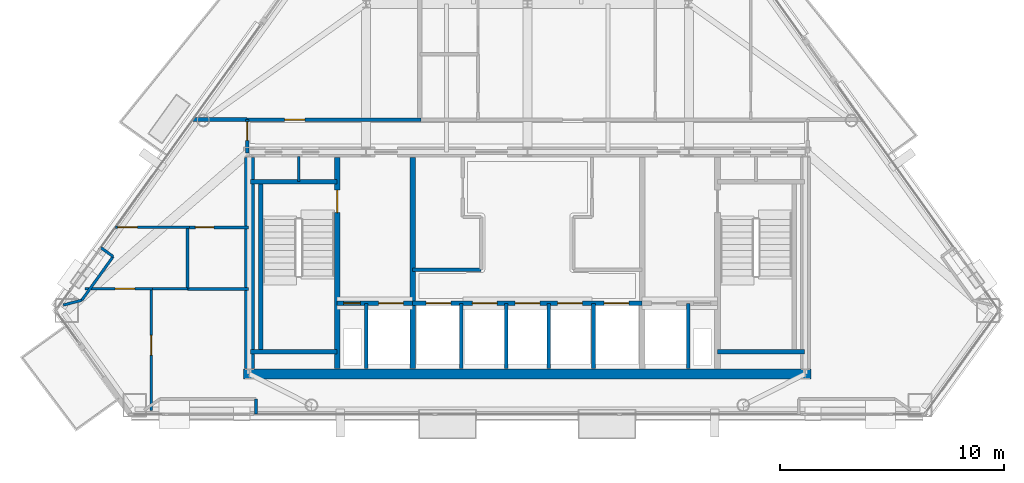
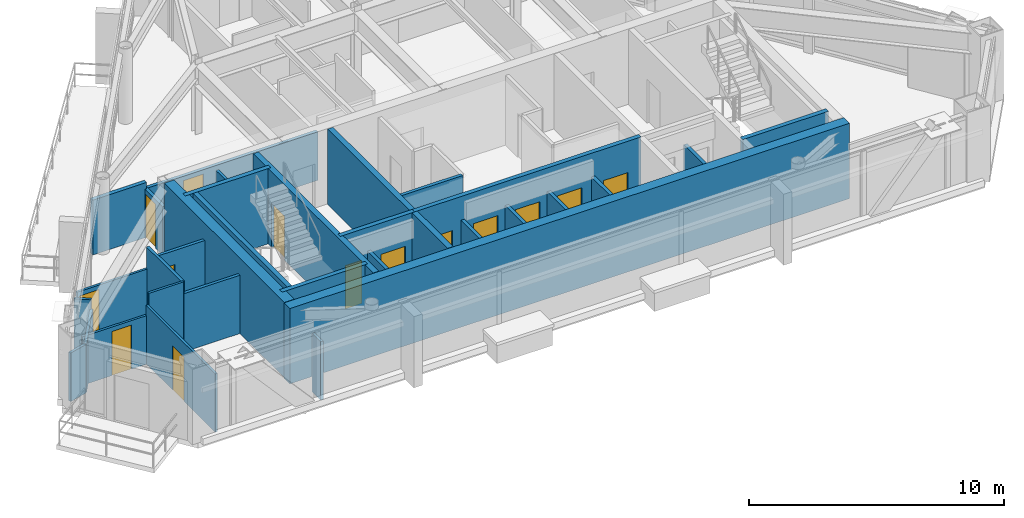
# One storey, part 7 of 11: 32 walls, 14 doors, 14 openings.
"""IFC4 building model written with IfcOpenShell, lengths in metres."""

import ifcopenshell
import ifcopenshell.guid

model = None  # the IFC model being written
_history = None  # IfcOwnerHistory: only IFC2X3 demands one
_inside = {}  # id of a spatial element -> (the spatial element, [elements in it])
_under = {}  # id of a project, library or spatial element -> (it, [spatial elements below it])
_declared = {}  # id of a project -> (the project, [libraries it declares])
_typed = {}  # id of a type object -> (the type object, [elements of that type])
_made_of = {}  # id of a material, layer set ... -> (it, [elements and type objects made of it])


def new_model(schema):
    """Start an empty IFC model of exactly this schema.

    Asked for "IFC4X3", IfcOpenShell would pick the latest addendum, in which some entities
    have other attributes; the version numbers below select the first issue.
    IFC2X3 requires an IfcOwnerHistory on every rooted entity: one is made here for all.
    """
    global model, _history
    if schema == "IFC4X3":
        model = ifcopenshell.file(schema_version=(4, 3, 0, 0))
    else:
        model = ifcopenshell.file(schema=schema)
    _inside.clear()
    _under.clear()
    _declared.clear()
    _typed.clear()
    _made_of.clear()
    _history = None
    if model.schema == "IFC2X3":
        org = make("IfcOrganization", Name="unknown")
        user = make(
            "IfcPersonAndOrganization",
            ThePerson=make("IfcPerson", FamilyName="unknown"),
            TheOrganization=org,
        )
        app = make(
            "IfcApplication",
            ApplicationDeveloper=org,
            Version="unknown",
            ApplicationFullName="unknown",
            ApplicationIdentifier="unknown",
        )
        _history = make(
            "IfcOwnerHistory",
            OwningUser=user,
            OwningApplication=app,
            ChangeAction="ADDED",
            CreationDate=0,
        )
    return model


def make(cls, **values):
    """One entity of the class cls with the attributes given. An attribute that is None is left unset."""
    return model.create_entity(
        cls, **{name: value for name, value in values.items() if value is not None}
    )


def rooted(cls, **values):
    """An entity with a GlobalId (a new one), such as an element, a storey or a relation."""
    return make(cls, GlobalId=ifcopenshell.guid.new(), OwnerHistory=_history, **values)


def si_unit(unit_type, name, prefix=None):
    """IfcSIUnit, for example si_unit("LENGTHUNIT", "METRE", prefix="MILLI")."""
    return make("IfcSIUnit", UnitType=unit_type, Prefix=prefix, Name=name)


def assignment(units):
    """IfcUnitAssignment: the units of a project."""
    return None if units is None else make("IfcUnitAssignment", Units=units)


def point(xyz):
    """IfcCartesianPoint."""
    return None if xyz is None else make("IfcCartesianPoint", Coordinates=xyz)


def direction(xyz):
    """IfcDirection."""
    return None if xyz is None else make("IfcDirection", DirectionRatios=xyz)


def frame(location, z_axis=None, x_axis=None):
    """IfcAxis2Placement3D, a coordinate frame: its origin and axes. An axis left out is left unset."""
    return make(
        "IfcAxis2Placement3D",
        Location=point(location),
        Axis=direction(z_axis),
        RefDirection=direction(x_axis),
    )


def frame_2d(location, x_axis=None):
    """IfcAxis2Placement2D, a coordinate frame in the plane: its origin and x axis."""
    return make(
        "IfcAxis2Placement2D", Location=point(location), RefDirection=direction(x_axis)
    )


def origin():
    """The frame at (0, 0, 0) with its axes left unset."""
    return frame((0.0, 0.0, 0.0))


def place(relative_to, where):
    """IfcLocalPlacement: puts the frame where relative to a parent placement (None: the world)."""
    return make(
        "IfcLocalPlacement", PlacementRelTo=relative_to, RelativePlacement=where
    )


def context(
    kind, dimensions, precision=None, world=None, true_north=None, identifier=None
):
    """IfcGeometricRepresentationContext, for example the 3D "Model" context."""
    return make(
        "IfcGeometricRepresentationContext",
        ContextIdentifier=identifier,
        ContextType=kind,
        CoordinateSpaceDimension=dimensions,
        Precision=precision,
        WorldCoordinateSystem=world,
        TrueNorth=true_north,
    )


def subcontext(parent, identifier, kind, view, scale=None):
    """IfcGeometricRepresentationSubContext, for example "Body" below "Model"."""
    return make(
        "IfcGeometricRepresentationSubContext",
        ContextIdentifier=identifier,
        ContextType=kind,
        ParentContext=parent,
        TargetScale=scale,
        TargetView=view,
    )


def project(units=None, contexts=None):
    """IfcProject with its units and contexts."""
    return rooted(
        "IfcProject",
        Name="project",
        RepresentationContexts=contexts,
        UnitsInContext=assignment(units),
    )


def spatial(cls, under=None, at=None, **own):
    """A site, building, storey or space (cls), placed at a placement, below another one or the project."""
    s = rooted(cls, ObjectPlacement=at, **own)
    if under is not None:
        _under.setdefault(under.id(), (under, []))[1].append(s)
    return s


def profile(cls, at=None, kind="AREA", **sizes):
    """A parametric profile (cls). Its sizes go by their IFC names, for example OverallWidth=200.0."""
    return make(cls, ProfileType=kind, Position=at, **sizes)


def rectangle(**sizes):
    """IfcRectangleProfileDef."""
    return profile("IfcRectangleProfileDef", **sizes)


def extrude(swept, where, along, depth):
    """IfcExtrudedAreaSolid: the profile swept, set in the frame where, extruded along a direction by depth."""
    return make(
        "IfcExtrudedAreaSolid",
        SweptArea=swept,
        Position=where,
        ExtrudedDirection=direction(along),
        Depth=depth,
    )


def shape(context_of_items, identifier, shape_type, items):
    """IfcShapeRepresentation: the items that make up one representation, for example the "Body"."""
    return make(
        "IfcShapeRepresentation",
        ContextOfItems=context_of_items,
        RepresentationIdentifier=identifier,
        RepresentationType=shape_type,
        Items=items,
    )


def material(Name=None, Category=None):
    """IfcMaterial."""
    return make("IfcMaterial", Name=Name, Category=Category)


def layer(
    of_material, thickness, ventilated=None, Name=None, Category=None, Priority=None
):
    """IfcMaterialLayer: one layer of a wall or slab, of a material (None: an air gap)."""
    return make(
        "IfcMaterialLayer",
        Material=of_material,
        LayerThickness=thickness,
        IsVentilated=ventilated,
        Name=Name,
        Category=Category,
        Priority=Priority,
    )


def layer_set(layers, Name=None):
    """IfcMaterialLayerSet."""
    return make("IfcMaterialLayerSet", MaterialLayers=layers, LayerSetName=Name)


def made_of(thing, what):
    """Note that an element or type object is made of a material, layer set ...; save() writes the relation."""
    if what is not None:
        _made_of.setdefault(what.id(), (what, []))[1].append(thing)
    return thing


def type_object(cls, material=None, **own):
    """A type object (cls), such as IfcWallType, which elements share."""
    return made_of(rooted(cls, **own), material)


def element(
    cls,
    number,
    at=None,
    inside=None,
    cuts=None,
    type_object=None,
    material=None,
    context=None,
    identifier="Body",
    shape_type=None,
    held_by="IfcProductDefinitionShape",
    body=None,
    shapes=None,
    **own,
):
    """One element of the class cls, such as IfcWall. Its Tag is "e" and its number.

    at: its placement. inside: the storey or other place that contains it. cuts: it is an
    opening in that element (IfcRelVoidsElement). A single representation is given by context,
    identifier, shape_type and body (its items); several are given by shapes. held_by: the class
    of the entity that holds the representations. save() writes the other relations.
    """
    e = rooted(cls, Tag="e%d" % number, ObjectPlacement=at, **own)
    if body is not None:
        shapes = [shape(context, identifier, shape_type, body)]
    if shapes is not None:
        e.Representation = make(held_by, Representations=shapes)
    if inside is not None:
        _inside.setdefault(inside.id(), (inside, []))[1].append(e)
    if cuts is not None:
        rooted(
            "IfcRelVoidsElement", RelatingBuildingElement=cuts, RelatedOpeningElement=e
        )
    if type_object is not None:
        _typed.setdefault(type_object.id(), (type_object, []))[1].append(e)
    return made_of(e, material)


def fill(opening, filler):
    """IfcRelFillsElement: the door or window that sits in an opening."""
    return rooted(
        "IfcRelFillsElement",
        RelatingOpeningElement=opening,
        RelatedBuildingElement=filler,
    )


def aggregate(whole, parts):
    """IfcRelAggregates: a whole, such as a stair, and the parts it consists of."""
    return rooted("IfcRelAggregates", RelatingObject=whole, RelatedObjects=parts)


def save(model, path):
    """Write the relations noted so far, then the file.

    IfcRelAggregates (storeys below a building ...), IfcRelContainedInSpatialStructure (elements
    in a storey), IfcRelDefinesByType, IfcRelAssociatesMaterial and IfcRelDeclares: one each for
    every whole, place, type object, material and project.
    """
    for whole, parts in _under.values():
        aggregate(whole, parts)
    for where, things in _inside.values():
        rooted(
            "IfcRelContainedInSpatialStructure",
            RelatedElements=things,
            RelatingStructure=where,
        )
    for kind, things in _typed.values():
        rooted("IfcRelDefinesByType", RelatedObjects=things, RelatingType=kind)
    for what, things in _made_of.values():
        rooted("IfcRelAssociatesMaterial", RelatedObjects=things, RelatingMaterial=what)
    for by, libraries in _declared.values():
        rooted("IfcRelDeclares", RelatingContext=by, RelatedDefinitions=libraries)
    model.write(path)


model = new_model("IFC4")

# Units and contexts
model_context = context("Model", 3, precision=1e-05, world=origin(), true_north=direction((0.0, 1.0)))
body_context = subcontext(model_context, "Body", "Model", "MODEL_VIEW")
ifc_project = project(units=[si_unit("LENGTHUNIT", "METRE"), si_unit("AREAUNIT", "SQUARE_METRE"), si_unit("VOLUMEUNIT", "CUBIC_METRE"), si_unit("PLANEANGLEUNIT", "RADIAN"), si_unit("MASSUNIT", "GRAM", prefix="KILO")], contexts=[model_context])

# Site, building, storey
site_placement = place(None, origin())
site = spatial("IfcSite", under=ifc_project, at=site_placement, CompositionType="ELEMENT")
building_placement = place(site_placement, origin())
building = spatial("IfcBuilding", under=site, at=building_placement, Name="Talgorran Terracotta Tower", CompositionType="ELEMENT")
storey_placement = place(building_placement, frame((0.0, 0.0, 203.699951171875)))
storey = spatial("IfcBuildingStorey", under=building, at=storey_placement, Name="L53", CompositionType="ELEMENT", Elevation=203.699951171875)

# Walls
ifc_material_1 = material(Name="Concrete C50/60", Category="concrete")
ifc_layer_1 = layer(ifc_material_1, 0.199951171875, Name="WT_CORE_200")
ifc_layer_set_1 = layer_set([ifc_layer_1], Name="Concrete C50/60")
wall_type_1 = type_object("IfcWallType", Name="WT_CORE_200", PredefinedType="SOLIDWALL", material=ifc_layer_set_1)
for number, where, z_axis, x_axis, name in (
    (1, (-12.35009765625, -5.52001953125, 0.0), (0.0, 0.0, 1.0), (1.0, 0.0, 0.0), "WL-L53-CW-ST1-N"),
    (2, (-12.35009765625, -13.10009765625, 0.0), (0.0, 0.0, 1.0), (1.0, 0.0, 0.0), "WL-L53-CW-ST1-S"),
):
    element("IfcWall", number, at=place(storey_placement, frame(where, z_axis=z_axis, x_axis=x_axis)), inside=storey, type_object=wall_type_1, Name=name, PredefinedType="SOLIDWALL", context=body_context, shape_type="SweptSolid", body=[
        extrude(rectangle(XDim=3.8701171875, YDim=0.199951171875, at=frame_2d((1.93505859375, 0.0))), origin(), (0.0, 0.0, 1.0), 3.60009765625),
    ])
wall_1_placement = place(storey_placement, frame((-11.89990234375, -13.10009765625, 0.0), z_axis=(0.0, 0.0, 1.0), x_axis=(0.0, 1.0, 0.0)))
element("IfcWall", 3, at=wall_1_placement, inside=storey, type_object=wall_type_1, Name="WL-L53-CW-ST1-W", PredefinedType="SOLIDWALL", context=body_context, shape_type="SweptSolid", body=[
    extrude(rectangle(XDim=7.580078125, YDim=0.199951171875, at=frame_2d((3.7900390625, 0.0))), origin(), (0.0, 0.0, 1.0), 3.60009765625),
])
wall_2_placement = place(storey_placement, frame((8.47998046875, -13.10009765625, 0.0), z_axis=(0.0, 0.0, 1.0), x_axis=(1.0, 0.0, 0.0)))
element("IfcWall", 4, at=wall_2_placement, inside=storey, type_object=wall_type_1, Name="WL-L53-CW-ST2-S", PredefinedType="SOLIDWALL", context=body_context, shape_type="SweptSolid", body=[
    extrude(rectangle(XDim=3.8701171875, YDim=0.199951171875, at=frame_2d((1.93505859375, 0.0))), origin(), (0.0, 0.0, 1.0), 3.60009765625),
])

# Wall, openings, doors
wall_3_placement = place(storey_placement, frame((-8.47998046875, -10.949951171875, 0.0), z_axis=(0.0, 0.0, 1.0), x_axis=(1.0, 0.0, 0.0)))
wall_3 = element("IfcWall", 5, at=wall_3_placement, inside=storey, type_object=wall_type_1, Name="WL-L53-CW-H-SBW", PredefinedType="SOLIDWALL", context=body_context, shape_type="SweptSolid", body=[
    extrude(rectangle(XDim=3.35986328125, YDim=0.199951171875, at=frame_2d((1.679931640625, 0.0))), origin(), (0.0, 0.0, 1.0), 3.60009765625),
])
opening_1_placement = place(wall_3_placement, frame((0.280029296875, 0.0, 0.0)))
opening_1 = element("IfcOpeningElement", 6, at=opening_1_placement, cuts=wall_3, Name="Opening DR-RSW", PredefinedType="OPENING", context=body_context, shape_type="SweptSolid", body=[
    extrude(rectangle(XDim=0.756, YDim=2.054048828125, at=frame_2d((0.375, 1.027099609375))), frame((0.0, 0.10986328125, 0.0), z_axis=(0.0, -1.0, 0.0), x_axis=(1.0, 0.0, 0.0)), (0.0, 0.0, 1.0), 0.219970703125),
])
opening_2_placement = place(wall_3_placement, frame((1.85009765625, 0.0, 0.0)))
opening_2 = element("IfcOpeningElement", 7, at=opening_2_placement, cuts=wall_3, Name="Opening LD-FFL1", PredefinedType="OPENING", context=body_context, shape_type="SweptSolid", body=[
    extrude(rectangle(XDim=1.10609765625, YDim=2.10409765625, at=frame_2d((0.550048828125, 1.052001953125))), frame((0.0, 0.10986328125, 0.0), z_axis=(0.0, -1.0, 0.0), x_axis=(1.0, 0.0, 0.0)), (0.0, 0.0, 1.0), 0.219970703125),
])
ifc_material_2 = material(Name="Brushed Stainless Steel Grade 304", Category="steel")
door_type_1 = type_object("IfcDoorType", Name="DT_LIFT_LD1100", OperationType="DOUBLE_DOOR_SLIDING", PredefinedType="DOOR", material=ifc_material_2)
door_1_placement = place(opening_2_placement, origin())
door_1 = element("IfcDoor", 8, at=door_1_placement, inside=storey, type_object=door_type_1, Name="L53 Lift Landing Door LD-FFL1", OperationType="DOUBLE_DOOR_SLIDING", OverallHeight=2.10009765625, OverallWidth=1.10009765625, PredefinedType="DOOR", context=body_context, shape_type="SweptSolid", body=[
    extrude(rectangle(XDim=1.10009765625, YDim=2.10009765625, at=frame_2d((0.550048828125, 1.050048828125))), frame((0.0, 0.02490234375, 0.0), z_axis=(0.0, -1.0, 0.0), x_axis=(1.0, 0.0, 0.0)), (0.0, 0.0, 1.0), 0.050048828125),
])
fill(opening_2, door_1)
ifc_material_3 = material(Name="Fire-Rated Pressed Steel", Category="steel")
door_type_2 = type_object("IfcDoorType", Name="DT_RISER_750", OperationType="NOTDEFINED", PredefinedType="DOOR", material=ifc_material_3)
door_2_placement = place(opening_1_placement, origin())
door_2 = element("IfcDoor", 9, at=door_2_placement, inside=storey, type_object=door_type_2, Name="DR-RSW", OperationType="SINGLE_SWING_LEFT", OverallHeight=2.050048828125, OverallWidth=0.75, PredefinedType="DOOR", context=body_context, shape_type="SweptSolid", body=[
    extrude(rectangle(XDim=0.75, YDim=2.050048828125, at=frame_2d((0.375, 1.02490234375))), frame((0.0, 0.02490234375, 0.0), z_axis=(0.0, -1.0, 0.0), x_axis=(1.0, 0.0, 0.0)), (0.0, 0.0, 1.0), 0.050048828125),
])
fill(opening_1, door_2)

wall_4_placement = place(storey_placement, frame((-5.1201171875, -10.949951171875, 0.0), z_axis=(0.0, 0.0, 1.0), x_axis=(1.0, 0.0, 0.0)))
wall_4 = element("IfcWall", 10, at=wall_4_placement, inside=storey, type_object=wall_type_1, Name="WL-L53-CW-H-SBC", PredefinedType="SOLIDWALL", context=body_context, shape_type="SweptSolid", body=[
    extrude(rectangle(XDim=10.240234375, YDim=0.199951171875, at=frame_2d((5.1201171875, 0.0))), origin(), (0.0, 0.0, 1.0), 3.60009765625),
])
opening_3_placement = place(wall_4_placement, frame((0.60009765625, 0.0, 0.0)))
opening_3 = element("IfcOpeningElement", 11, at=opening_3_placement, cuts=wall_4, Name="Opening LD-OB1", PredefinedType="OPENING", context=body_context, shape_type="SweptSolid", body=[
    extrude(rectangle(XDim=1.10609765625, YDim=2.10409765625, at=frame_2d((0.550048828125, 1.052001953125))), frame((0.0, 0.10986328125, 0.0), z_axis=(0.0, -1.0, 0.0), x_axis=(1.0, 0.0, 0.0)), (0.0, 0.0, 1.0), 0.219970703125),
])
opening_4_placement = place(wall_4_placement, frame((2.669921875, 0.0, 0.0)))
opening_4 = element("IfcOpeningElement", 12, at=opening_4_placement, cuts=wall_4, Name="Opening LD-PLH1", PredefinedType="OPENING", context=body_context, shape_type="SweptSolid", body=[
    extrude(rectangle(XDim=1.10609765625, YDim=2.10409765625, at=frame_2d((0.550048828125, 1.052001953125))), frame((0.0, 0.10986328125, 0.0), z_axis=(0.0, -1.0, 0.0), x_axis=(1.0, 0.0, 0.0)), (0.0, 0.0, 1.0), 0.219970703125),
])
opening_5_placement = place(wall_4_placement, frame((4.570068359375, 0.0, 0.0)))
opening_5 = element("IfcOpeningElement", 13, at=opening_5_placement, cuts=wall_4, Name="Opening LD-PLH2", PredefinedType="OPENING", context=body_context, shape_type="SweptSolid", body=[
    extrude(rectangle(XDim=1.10609765625, YDim=2.10409765625, at=frame_2d((0.550048828125, 1.052001953125))), frame((0.0, 0.10986328125, 0.0), z_axis=(0.0, -1.0, 0.0), x_axis=(1.0, 0.0, 0.0)), (0.0, 0.0, 1.0), 0.219970703125),
])
opening_6_placement = place(wall_4_placement, frame((6.469970703125, 0.0, 0.0)))
opening_6 = element("IfcOpeningElement", 14, at=opening_6_placement, cuts=wall_4, Name="Opening LD-PLH3", PredefinedType="OPENING", context=body_context, shape_type="SweptSolid", body=[
    extrude(rectangle(XDim=1.10609765625, YDim=2.10409765625, at=frame_2d((0.550048828125, 1.052001953125))), frame((0.0, 0.10986328125, 0.0), z_axis=(0.0, -1.0, 0.0), x_axis=(1.0, 0.0, 0.0)), (0.0, 0.0, 1.0), 0.219970703125),
])
opening_7_placement = place(wall_4_placement, frame((8.5400390625, 0.0, 0.0)))
opening_7 = element("IfcOpeningElement", 15, at=opening_7_placement, cuts=wall_4, Name="Opening LD-SVL1", PredefinedType="OPENING", context=body_context, shape_type="SweptSolid", body=[
    extrude(rectangle(XDim=1.10609765625, YDim=2.10409765625, at=frame_2d((0.550048828125, 1.052001953125))), frame((0.0, 0.10986328125, 0.0), z_axis=(0.0, -1.0, 0.0), x_axis=(1.0, 0.0, 0.0)), (0.0, 0.0, 1.0), 0.219970703125),
])
door_3_placement = place(opening_3_placement, origin())
door_3 = element("IfcDoor", 16, at=door_3_placement, inside=storey, type_object=door_type_1, Name="L53 Lift Landing Door LD-OB1", OperationType="DOUBLE_DOOR_SLIDING", OverallHeight=2.10009765625, OverallWidth=1.10009765625, PredefinedType="DOOR", context=body_context, shape_type="SweptSolid", body=[
    extrude(rectangle(XDim=1.10009765625, YDim=2.10009765625, at=frame_2d((0.550048828125, 1.050048828125))), frame((0.0, 0.02490234375, 0.0), z_axis=(0.0, -1.0, 0.0), x_axis=(1.0, 0.0, 0.0)), (0.0, 0.0, 1.0), 0.050048828125),
])
fill(opening_3, door_3)
door_4_placement = place(opening_4_placement, origin())
door_4 = element("IfcDoor", 17, at=door_4_placement, inside=storey, type_object=door_type_1, Name="L53 Lift Landing Door LD-PLH1", OperationType="DOUBLE_DOOR_SLIDING", OverallHeight=2.10009765625, OverallWidth=1.10009765625, PredefinedType="DOOR", context=body_context, shape_type="SweptSolid", body=[
    extrude(rectangle(XDim=1.10009765625, YDim=2.10009765625, at=frame_2d((0.550048828125, 1.050048828125))), frame((0.0, 0.02490234375, 0.0), z_axis=(0.0, -1.0, 0.0), x_axis=(1.0, 0.0, 0.0)), (0.0, 0.0, 1.0), 0.050048828125),
])
fill(opening_4, door_4)
door_5_placement = place(opening_5_placement, origin())
door_5 = element("IfcDoor", 18, at=door_5_placement, inside=storey, type_object=door_type_1, Name="L53 Lift Landing Door LD-PLH2", OperationType="DOUBLE_DOOR_SLIDING", OverallHeight=2.10009765625, OverallWidth=1.10009765625, PredefinedType="DOOR", context=body_context, shape_type="SweptSolid", body=[
    extrude(rectangle(XDim=1.10009765625, YDim=2.10009765625, at=frame_2d((0.550048828125, 1.050048828125))), frame((0.0, 0.02490234375, 0.0), z_axis=(0.0, -1.0, 0.0), x_axis=(1.0, 0.0, 0.0)), (0.0, 0.0, 1.0), 0.050048828125),
])
fill(opening_5, door_5)
door_6_placement = place(opening_6_placement, origin())
door_6 = element("IfcDoor", 19, at=door_6_placement, inside=storey, type_object=door_type_1, Name="L53 Lift Landing Door LD-PLH3", OperationType="DOUBLE_DOOR_SLIDING", OverallHeight=2.10009765625, OverallWidth=1.10009765625, PredefinedType="DOOR", context=body_context, shape_type="SweptSolid", body=[
    extrude(rectangle(XDim=1.10009765625, YDim=2.10009765625, at=frame_2d((0.550048828125, 1.050048828125))), frame((0.0, 0.02490234375, 0.0), z_axis=(0.0, -1.0, 0.0), x_axis=(1.0, 0.0, 0.0)), (0.0, 0.0, 1.0), 0.050048828125),
])
fill(opening_6, door_6)
door_7_placement = place(opening_7_placement, origin())
door_7 = element("IfcDoor", 20, at=door_7_placement, inside=storey, type_object=door_type_1, Name="L53 Lift Landing Door LD-SVL1", OperationType="DOUBLE_DOOR_SLIDING", OverallHeight=2.10009765625, OverallWidth=1.10009765625, PredefinedType="DOOR", context=body_context, shape_type="SweptSolid", body=[
    extrude(rectangle(XDim=1.10009765625, YDim=2.10009765625, at=frame_2d((0.550048828125, 1.050048828125))), frame((0.0, 0.02490234375, 0.0), z_axis=(0.0, -1.0, 0.0), x_axis=(1.0, 0.0, 0.0)), (0.0, 0.0, 1.0), 0.050048828125),
])
fill(opening_7, door_7)

# Wall, opening, door
ifc_layer_2 = layer(ifc_material_1, 0.25, Name="WT_CORE_250")
ifc_layer_set_2 = layer_set([ifc_layer_2], Name="Concrete C50/60")
wall_type_2 = type_object("IfcWallType", Name="WT_CORE_250", PredefinedType="SHEAR", material=ifc_layer_set_2)
wall_5_placement = place(storey_placement, frame((-8.47998046875, -13.85009765625, 0.0), z_axis=(0.0, 0.0, 1.0), x_axis=(0.0, 1.0, 0.0)))
wall_5 = element("IfcWall", 21, at=wall_5_placement, inside=storey, type_object=wall_type_2, Name="WL-L53-CW-V-W1", PredefinedType="SHEAR", context=body_context, shape_type="SweptSolid", body=[
    extrude(rectangle(XDim=9.400146484375, YDim=0.25, at=frame_2d((4.7001953125, 0.0))), origin(), (0.0, 0.0, 1.0), 3.60009765625),
])
opening_8_placement = place(wall_5_placement, frame((6.949951171875, 0.0, 0.0)))
opening_8 = element("IfcOpeningElement", 22, at=opening_8_placement, cuts=wall_5, Name="Opening DR-ST01", PredefinedType="OPENING", context=body_context, shape_type="SweptSolid", body=[
    extrude(rectangle(XDim=1.006, YDim=2.10409765625, at=frame_2d((0.5, 1.052001953125))), frame((0.0, 0.135009765625, 0.0), z_axis=(0.0, -1.0, 0.0), x_axis=(1.0, 0.0, 0.0)), (0.0, 0.0, 1.0), 0.27001953125),
])
door_type_3 = type_object("IfcDoorType", Name="DT_FIRE_1000", OperationType="NOTDEFINED", PredefinedType="DOOR", material=ifc_material_3)
door_8_placement = place(opening_8_placement, origin())
door_8 = element("IfcDoor", 23, at=door_8_placement, inside=storey, type_object=door_type_3, Name="DR-ST01", OperationType="SINGLE_SWING_LEFT", OverallHeight=2.10009765625, OverallWidth=1.0, PredefinedType="DOOR", context=body_context, shape_type="SweptSolid", body=[
    extrude(rectangle(XDim=1.0, YDim=2.10009765625, at=frame_2d((0.5, 1.050048828125))), frame((0.0, 0.02490234375, 0.0), z_axis=(0.0, -1.0, 0.0), x_axis=(1.0, 0.0, 0.0)), (0.0, 0.0, 1.0), 0.050048828125),
])
fill(opening_8, door_8)

# Walls
wall_6_placement = place(storey_placement, frame((-5.1201171875, -13.85009765625, 0.0), z_axis=(0.0, 0.0, 1.0), x_axis=(0.0, 1.0, 0.0)))
element("IfcWall", 24, at=wall_6_placement, inside=storey, type_object=wall_type_2, Name="WL-L53-CW-V-W2", PredefinedType="SHEAR", context=body_context, shape_type="SweptSolid", body=[
    extrude(rectangle(XDim=9.400146484375, YDim=0.25, at=frame_2d((4.7001953125, 0.0))), origin(), (0.0, 0.0, 1.0), 3.60009765625),
])
ifc_material_4 = material(Name="Concrete C65/80", Category="concrete")
ifc_layer_3 = layer(ifc_material_4, 0.449951171875, Name="WT_CORE_EXT")
ifc_layer_set_3 = layer_set([ifc_layer_3], Name="Concrete C65/80")
wall_type_3 = type_object("IfcWallType", Name="WT_CORE_EXT", PredefinedType="SHEAR", material=ifc_layer_set_3)
wall_7_placement = place(storey_placement, frame((-12.64990234375, -14.10009765625, 0.0), z_axis=(0.0, 0.0, 1.0), x_axis=(1.0, 0.0, 0.0)))
element("IfcWall", 25, at=wall_7_placement, inside=storey, type_object=wall_type_3, Name="WL-L53-CW-OUT-S", PredefinedType="SHEAR", context=body_context, shape_type="SweptSolid", body=[
    extrude(rectangle(XDim=25.2998046875, YDim=0.449951171875, at=frame_2d((12.64990234375, 0.0))), origin(), (0.0, 0.0, 1.0), 3.60009765625),
])
wall_8_placement = place(storey_placement, frame((-12.39990234375, -13.85009765625, 0.0), z_axis=(0.0, 0.0, 1.0), x_axis=(0.0, 1.0, 0.0)))
element("IfcWall", 26, at=wall_8_placement, inside=storey, type_object=wall_type_3, Name="WL-L53-CW-OUT-W", PredefinedType="SHEAR", context=body_context, shape_type="SweptSolid", body=[
    extrude(rectangle(XDim=9.400146484375, YDim=0.449951171875, at=frame_2d((4.7001953125, 0.0))), origin(), (0.0, 0.0, 1.0), 3.60009765625),
])
ifc_material_5 = material(Name="Fire-Rated Steel Stud Plasterboard", Category="steel")
ifc_layer_4 = layer(ifc_material_5, 0.14990234375, Name="WT_FIRE_150")
ifc_layer_set_4 = layer_set([ifc_layer_4], Name="Fire-Rated Steel Stud Plasterboard")
wall_type_4 = type_object("IfcWallType", Name="WT_FIRE_150", PredefinedType="PARTITIONING", material=ifc_layer_set_4)
wall_9_placement = place(storey_placement, frame((-5.1201171875, -9.449951171875, 0.0), z_axis=(0.0, 0.0, 1.0), x_axis=(1.0, 0.0, 0.0)))
element("IfcWall", 27, at=wall_9_placement, inside=storey, type_object=wall_type_4, Name="WL-L53-CW-H-W4N", PredefinedType="PARTITIONING", context=body_context, shape_type="SweptSolid", body=[
    extrude(rectangle(XDim=3.06005859375, YDim=0.14990234375, at=frame_2d((1.530029296875, 0.0))), origin(), (0.0, 0.0, 1.0), 3.344970703125),
])

# Wall, opening, door
wall_10_placement = place(storey_placement, frame((-12.5, -2.760009765625, 0.0), z_axis=(0.0, 0.0, 1.0), x_axis=(1.0, 0.0, 0.0)))
wall_10 = element("IfcWall", 28, at=wall_10_placement, inside=storey, type_object=wall_type_4, Name="WL-L53-W-L53-R03", PredefinedType="PARTITIONING", context=body_context, shape_type="SweptSolid", body=[
    extrude(rectangle(XDim=7.760009765625, YDim=0.14990234375, at=frame_2d((3.8798828125, 0.0))), origin(), (0.0, 0.0, 1.0), 2.320068359375),
])
opening_9_placement = place(wall_10_placement, frame((1.67529296875, 0.0, 0.0)))
opening_9 = element("IfcOpeningElement", 29, at=opening_9_placement, cuts=wall_10, Name="Opening DR-L53-R07", PredefinedType="OPENING", context=body_context, shape_type="SweptSolid", body=[
    extrude(rectangle(XDim=0.90590234375, YDim=2.10409765625, at=frame_2d((0.449951171875, 1.052001953125))), frame((0.0, 0.0849609375, 0.0), z_axis=(0.0, -1.0, 0.0), x_axis=(1.0, 0.0, 0.0)), (0.0, 0.0, 1.0), 0.169921875),
])
ifc_material_6 = material(Name="Fire-Rated Timber Core", Category="wood")
door_type_4 = type_object("IfcDoorType", Name="DT_FIRE_900", OperationType="NOTDEFINED", PredefinedType="DOOR", material=ifc_material_6)
door_9_placement = place(opening_9_placement, origin())
door_9 = element("IfcDoor", 30, at=door_9_placement, inside=storey, type_object=door_type_4, Name="DR-L53-R07", OperationType="SINGLE_SWING_LEFT", OverallHeight=2.10009765625, OverallWidth=0.89990234375, PredefinedType="DOOR", context=body_context, shape_type="SweptSolid", body=[
    extrude(rectangle(XDim=0.89990234375, YDim=2.10009765625, at=frame_2d((0.449951171875, 1.050048828125))), frame((0.0, 0.02490234375, 0.0), z_axis=(0.0, -1.0, 0.0), x_axis=(1.0, 0.0, 0.0)), (0.0, 0.0, 1.0), 0.050048828125),
])
fill(opening_9, door_9)

wall_11_placement = place(storey_placement, frame((-12.5, -4.239990234375, 0.0), z_axis=(0.0, 0.0, 1.0), x_axis=(0.0, 1.0, 0.0)))
wall_11 = element("IfcWall", 31, at=wall_11_placement, inside=storey, type_object=wall_type_4, Name="WL-L53-W-L53-R01", PredefinedType="PARTITIONING", context=body_context, shape_type="SweptSolid", body=[
    extrude(rectangle(XDim=1.47998046875, YDim=0.14990234375, at=frame_2d((0.739990234375, 0.0))), origin(), (0.0, 0.0, 1.0), 2.320068359375),
])
opening_10_placement = place(wall_11_placement, frame((0.56005859375, 0.0, 0.0)))
opening_10 = element("IfcOpeningElement", 32, at=opening_10_placement, cuts=wall_11, Name="Opening DR-L53-R01", PredefinedType="OPENING", context=body_context, shape_type="SweptSolid", body=[
    extrude(rectangle(XDim=0.826068359375, YDim=2.10409765625, at=frame_2d((0.41015625, 1.052001953125))), frame((0.0, 0.0849609375, 0.0), z_axis=(0.0, -1.0, 0.0), x_axis=(1.0, 0.0, 0.0)), (0.0, 0.0, 1.0), 0.169921875),
])
ifc_material_7 = material(Name="Moisture-Resistant Solid Timber", Category="wood")
door_type_5 = type_object("IfcDoorType", Name="DT_INT_820", OperationType="NOTDEFINED", PredefinedType="DOOR", material=ifc_material_7)
door_10_placement = place(opening_10_placement, origin())
door_10 = element("IfcDoor", 33, at=door_10_placement, inside=storey, type_object=door_type_5, Name="DR-L53-R01", OperationType="SINGLE_SWING_LEFT", OverallHeight=2.10009765625, OverallWidth=0.820068359375, PredefinedType="DOOR", context=body_context, shape_type="SweptSolid", body=[
    extrude(rectangle(XDim=0.820068359375, YDim=2.10009765625, at=frame_2d((0.41015625, 1.050048828125))), frame((0.0, 0.02490234375, 0.0), z_axis=(0.0, -1.0, 0.0), x_axis=(1.0, 0.0, 0.0)), (0.0, 0.0, 1.0), 0.050048828125),
])
fill(opening_10, door_10)

# Wall
ifc_material_8 = material(Name="Acoustic Stud and Plasterboard")
ifc_layer_5 = layer(ifc_material_8, 0.179931640625, Name="WT_PARTY_200")
ifc_layer_set_5 = layer_set([ifc_layer_5], Name="Acoustic Stud and Plasterboard")
wall_type_5 = type_object("IfcWallType", Name="WT_PARTY_200", PredefinedType="PARTITIONING", material=ifc_layer_set_5)
wall_12_placement = place(storey_placement, frame((-14.926025390625, -2.760009765625, 0.0), z_axis=(0.0, 0.0, 1.0), x_axis=(1.0, 0.0, 0.0)))
element("IfcWall", 34, at=wall_12_placement, inside=storey, type_object=wall_type_5, Name="WL-L53-W-L53-R10", PredefinedType="PARTITIONING", context=body_context, shape_type="SweptSolid", body=[
    extrude(rectangle(XDim=2.426025390625, YDim=0.179931640625, at=frame_2d((1.212890625, 0.0))), origin(), (0.0, 0.0, 1.0), 2.6201171875),
])

# Wall, opening, door
ifc_material_9 = material(Name="Lightweight Steel Stud Partition", Category="steel")
ifc_layer_6 = layer(ifc_material_9, 0.10498046875, Name="WT_PART_110")
ifc_layer_set_6 = layer_set([ifc_layer_6], Name="Lightweight Steel Stud Partition")
wall_type_6 = type_object("IfcWallType", Name="WT_PART_110", PredefinedType="PARTITIONING", material=ifc_layer_set_6)
wall_13_placement = place(storey_placement, frame((-16.780029296875, -15.719970703125, 0.0), z_axis=(0.0, 0.0, 1.0), x_axis=(0.0, 1.0, 0.0)))
wall_13 = element("IfcWall", 35, at=wall_13_placement, inside=storey, type_object=wall_type_6, Name="WL-L53-W-L53-R15", PredefinedType="PARTITIONING", context=body_context, shape_type="SweptSolid", body=[
    extrude(rectangle(XDim=5.419921875, YDim=0.10498046875, at=frame_2d((2.7099609375, 0.0))), origin(), (0.0, 0.0, 1.0), 2.787109375),
])
opening_11_placement = place(wall_13_placement, frame((2.4599609375, 0.0, 0.0)))
opening_11 = element("IfcOpeningElement", 36, at=opening_11_placement, cuts=wall_13, Name="Opening DR-L53-R05", PredefinedType="OPENING", context=body_context, shape_type="SweptSolid", body=[
    extrude(rectangle(XDim=0.8858828125, YDim=2.10409765625, at=frame_2d((0.43994140625, 1.052001953125))), frame((0.0, 0.0625, 0.0), z_axis=(0.0, -1.0, 0.0), x_axis=(1.0, 0.0, 0.0)), (0.0, 0.0, 1.0), 0.125),
])
ifc_material_10 = material(Name="Solid-Core Painted Timber", Category="wood")
door_type_6 = type_object("IfcDoorType", Name="DT_INT_880", OperationType="NOTDEFINED", PredefinedType="DOOR", material=ifc_material_10)
door_11_placement = place(opening_11_placement, origin())
door_11 = element("IfcDoor", 37, at=door_11_placement, inside=storey, type_object=door_type_6, Name="DR-L53-R05", OperationType="SINGLE_SWING_LEFT", OverallHeight=2.10009765625, OverallWidth=0.8798828125, PredefinedType="DOOR", context=body_context, shape_type="SweptSolid", body=[
    extrude(rectangle(XDim=0.8798828125, YDim=2.10009765625, at=frame_2d((0.43994140625, 1.050048828125))), frame((0.0, 0.02490234375, 0.0), z_axis=(0.0, -1.0, 0.0), x_axis=(1.0, 0.0, 0.0)), (0.0, 0.0, 1.0), 0.050048828125),
])
fill(opening_11, door_11)

wall_14_placement = place(storey_placement, frame((-18.375244140625, -7.56005859375, 0.0), z_axis=(0.0, 0.0, 1.0), x_axis=(1.0, 0.0, 0.0)))
wall_14 = element("IfcWall", 38, at=wall_14_placement, inside=storey, type_object=wall_type_6, Name="WL-L53-W-L53-R09", PredefinedType="PARTITIONING", context=body_context, shape_type="SweptSolid", body=[
    extrude(rectangle(XDim=3.295166015625, YDim=0.10498046875, at=frame_2d((1.6474609375, 0.0))), origin(), (0.0, 0.0, 1.0), 2.320068359375),
])
opening_12_placement = place(wall_14_placement, frame((0.10009765625, 0.0, 0.0)))
opening_12 = element("IfcOpeningElement", 39, at=opening_12_placement, cuts=wall_14, Name="Opening DR-L53-R03", PredefinedType="OPENING", context=body_context, shape_type="SweptSolid", body=[
    extrude(rectangle(XDim=0.8858828125, YDim=2.10409765625, at=frame_2d((0.43994140625, 1.052001953125))), frame((0.0, 0.0625, 0.0), z_axis=(0.0, -1.0, 0.0), x_axis=(1.0, 0.0, 0.0)), (0.0, 0.0, 1.0), 0.125),
])
door_12_placement = place(opening_12_placement, origin())
door_12 = element("IfcDoor", 40, at=door_12_placement, inside=storey, type_object=door_type_6, Name="DR-L53-R03", OperationType="SINGLE_SWING_LEFT", OverallHeight=2.10009765625, OverallWidth=0.8798828125, PredefinedType="DOOR", context=body_context, shape_type="SweptSolid", body=[
    extrude(rectangle(XDim=0.8798828125, YDim=2.10009765625, at=frame_2d((0.43994140625, 1.050048828125))), frame((0.0, 0.02490234375, 0.0), z_axis=(0.0, -1.0, 0.0), x_axis=(1.0, 0.0, 0.0)), (0.0, 0.0, 1.0), 0.050048828125),
])
fill(opening_12, door_12)

wall_15_placement = place(storey_placement, frame((-19.719970703125, -10.300048828125, 0.0), z_axis=(0.0, 0.0, 1.0), x_axis=(1.0, 0.0, 0.0)))
wall_15 = element("IfcWall", 41, at=wall_15_placement, inside=storey, type_object=wall_type_6, Name="WL-L53-W-L53-R13", PredefinedType="PARTITIONING", context=body_context, shape_type="SweptSolid", body=[
    extrude(rectangle(XDim=3.0, YDim=0.10498046875, at=frame_2d((1.5, 0.0))), origin(), (0.0, 0.0, 1.0), 2.320068359375),
])
opening_13_placement = place(wall_15_placement, frame((1.328125, 0.0, 0.0)))
opening_13 = element("IfcOpeningElement", 42, at=opening_13_placement, cuts=wall_15, Name="Opening DR-L53-R04", PredefinedType="OPENING", context=body_context, shape_type="SweptSolid", body=[
    extrude(rectangle(XDim=0.8858828125, YDim=2.10409765625, at=frame_2d((0.43994140625, 1.052001953125))), frame((0.0, 0.0625, 0.0), z_axis=(0.0, -1.0, 0.0), x_axis=(1.0, 0.0, 0.0)), (0.0, 0.0, 1.0), 0.125),
])
door_13_placement = place(opening_13_placement, origin())
door_13 = element("IfcDoor", 43, at=door_13_placement, inside=storey, type_object=door_type_6, Name="DR-L53-R04", OperationType="SINGLE_SWING_RIGHT", OverallHeight=2.10009765625, OverallWidth=0.8798828125, PredefinedType="DOOR", context=body_context, shape_type="SweptSolid", body=[
    extrude(rectangle(XDim=0.8798828125, YDim=2.10009765625, at=frame_2d((0.43994140625, 1.050048828125))), frame((0.0, 0.02490234375, 0.0), z_axis=(0.0, -1.0, 0.0), x_axis=(1.0, 0.0, 0.0)), (0.0, 0.0, 1.0), 0.050048828125),
])
fill(opening_13, door_13)

# Walls
wall_16_placement = place(storey_placement, frame((-16.718017578125, -10.300048828125, 0.0), z_axis=(0.0, 0.0, 1.0), x_axis=(1.0, 0.0, 0.0)))
element("IfcWall", 44, at=wall_16_placement, inside=storey, type_object=wall_type_6, Name="WL-L53-W-L53-R14", PredefinedType="PARTITIONING", context=body_context, shape_type="SweptSolid", body=[
    extrude(rectangle(XDim=1.55810546875, YDim=0.10498046875, at=frame_2d((0.779052734375, 0.0))), origin(), (0.0, 0.0, 1.0), 3.344970703125),
])
ifc_material_11 = material(Name="Insulated Steel Stud Plasterboard", Category="steel")
ifc_layer_7 = layer(ifc_material_11, 0.1201171875, Name="WT_PART_120")
ifc_layer_set_7 = layer_set([ifc_layer_7], Name="Insulated Steel Stud Plasterboard")
wall_type_7 = type_object("IfcWallType", Name="WT_PART_120", PredefinedType="PARTITIONING", material=ifc_layer_set_7)
wall_17_placement = place(storey_placement, frame((-10.199951171875, -5.52001953125, 0.0), z_axis=(0.0, 0.0, 1.0), x_axis=(0.0, 1.0, 0.0)))
element("IfcWall", 45, at=wall_17_placement, inside=storey, type_object=wall_type_7, Name="WL-L53-CW-CSW-DIV", PredefinedType="PARTITIONING", context=body_context, shape_type="SweptSolid", body=[
    extrude(rectangle(XDim=1.1201171875, YDim=0.1201171875, at=frame_2d((0.56005859375, 0.0))), origin(), (0.0, 0.0, 1.0), 3.344970703125),
])
wall_18_placement = place(storey_placement, frame((-18.473388671875, -8.862060546875, 0.0), z_axis=(0.0, 0.0, 1.0), x_axis=(-0.583631855745, -0.812018384619, 0.0)))
element("IfcWall", 46, at=wall_18_placement, inside=storey, type_object=wall_type_7, Name="WL-L53-BW-L53-08", PredefinedType="PARTITIONING", context=body_context, shape_type="SweptSolid", body=[
    extrude(rectangle(XDim=2.39990234375, YDim=0.1201171875, at=frame_2d((1.199951171875, 0.0))), origin(), (0.0, 0.0, 1.0), 2.320068359375),
])
wall_19_placement = place(storey_placement, frame((-19.8740234375, -10.810791015625, 0.0), z_axis=(0.0, 0.0, 1.0), x_axis=(-0.967403978064, -0.253238115667, 0.0)))
element("IfcWall", 47, at=wall_19_placement, inside=storey, type_object=wall_type_7, Name="WL-L53-BW-L53-09", PredefinedType="PARTITIONING", context=body_context, shape_type="SweptSolid", body=[
    extrude(rectangle(XDim=0.852294921875, YDim=0.1201171875, at=frame_2d((0.42626953125, 0.0))), origin(), (0.0, 0.0, 1.0), 2.320068359375),
])
wall_20_placement = place(storey_placement, frame((-19.017578125, -8.470947265625, 0.0), z_axis=(0.0, 0.0, 1.0), x_axis=(0.812031557065, -0.583613528227, 0.0)))
element("IfcWall", 48, at=wall_20_placement, inside=storey, type_object=wall_type_7, Name="WL-L53-BW-L53-07", PredefinedType="PARTITIONING", context=body_context, shape_type="SweptSolid", body=[
    extrude(rectangle(XDim=0.670166015625, YDim=0.1201171875, at=frame_2d((0.3349609375, 0.0))), origin(), (0.0, 0.0, 1.0), 2.787109375),
])
wall_21_placement = place(storey_placement, frame((-12.1005859375, -15.216796875, 0.0), z_axis=(0.0, 0.0, 1.0), x_axis=(0.0, -1.0, 0.0)))
element("IfcWall", 49, at=wall_21_placement, inside=storey, type_object=wall_type_7, Name="WL-L53-BW-L53-02", PredefinedType="PARTITIONING", context=body_context, shape_type="SweptSolid", body=[
    extrude(rectangle(XDim=0.669921875, YDim=0.1201171875, at=frame_2d((0.3349609375, 0.0))), origin(), (0.0, 0.0, 1.0), 2.787109375),
])

# Wall, opening, door
ifc_material_12 = material(Name="Moisture-Resistant Stud Wall")
ifc_layer_8 = layer(ifc_material_12, 0.135009765625, Name="WT_PART_135")
ifc_layer_set_8 = layer_set([ifc_layer_8], Name="Moisture-Resistant Stud Wall")
wall_type_8 = type_object("IfcWallType", Name="WT_PART_135", PredefinedType="PARTITIONING", material=ifc_layer_set_8)
wall_22_placement = place(storey_placement, frame((-15.077880859375, -7.56005859375, 0.0), z_axis=(0.0, 0.0, 1.0), x_axis=(1.0, 0.0, 0.0)))
wall_22 = element("IfcWall", 50, at=wall_22_placement, inside=storey, type_object=wall_type_8, Name="WL-L53-W-L53-R08", PredefinedType="PARTITIONING", context=body_context, shape_type="SweptSolid", body=[
    extrude(rectangle(XDim=2.637939453125, YDim=0.135009765625, at=frame_2d((1.31884765625, 0.0))), origin(), (0.0, 0.0, 1.0), 2.787109375),
])
opening_14_placement = place(wall_22_placement, frame((0.2705078125, 0.0, 0.0)))
opening_14 = element("IfcOpeningElement", 51, at=opening_14_placement, cuts=wall_22, Name="Opening DR-L53-R02", PredefinedType="OPENING", context=body_context, shape_type="SweptSolid", body=[
    extrude(rectangle(XDim=0.826068359375, YDim=2.10409765625, at=frame_2d((0.41015625, 1.052001953125))), frame((0.0, 0.07763671875, 0.0), z_axis=(0.0, -1.0, 0.0), x_axis=(1.0, 0.0, 0.0)), (0.0, 0.0, 1.0), 0.155029296875),
])
door_14_placement = place(opening_14_placement, origin())
door_14 = element("IfcDoor", 52, at=door_14_placement, inside=storey, type_object=door_type_5, Name="DR-L53-R02", OperationType="SINGLE_SWING_RIGHT", OverallHeight=2.10009765625, OverallWidth=0.820068359375, PredefinedType="DOOR", context=body_context, shape_type="SweptSolid", body=[
    extrude(rectangle(XDim=0.820068359375, YDim=2.10009765625, at=frame_2d((0.41015625, 1.050048828125))), frame((0.0, 0.02490234375, 0.0), z_axis=(0.0, -1.0, 0.0), x_axis=(1.0, 0.0, 0.0)), (0.0, 0.0, 1.0), 0.050048828125),
])
fill(opening_14, door_14)

# Walls
wall_23_placement = place(storey_placement, frame((-15.159912109375, -10.300048828125, 0.0), z_axis=(0.0, 0.0, 1.0), x_axis=(0.0, 1.0, 0.0)))
element("IfcWall", 53, at=wall_23_placement, inside=storey, type_object=wall_type_8, Name="WL-L53-W-L53-R11", PredefinedType="PARTITIONING", context=body_context, shape_type="SweptSolid", body=[
    extrude(rectangle(XDim=2.739990234375, YDim=0.135009765625, at=frame_2d((1.3701171875, 0.0))), origin(), (0.0, 0.0, 1.0), 3.344970703125),
])
wall_24_placement = place(storey_placement, frame((-15.159912109375, -10.300048828125, 0.0), z_axis=(0.0, 0.0, 1.0), x_axis=(1.0, 0.0, 0.0)))
element("IfcWall", 54, at=wall_24_placement, inside=storey, type_object=wall_type_8, Name="WL-L53-W-L53-R12", PredefinedType="PARTITIONING", context=body_context, shape_type="SweptSolid", body=[
    extrude(rectangle(XDim=2.719970703125, YDim=0.135009765625, at=frame_2d((1.35986328125, 0.0))), origin(), (0.0, 0.0, 1.0), 2.787109375),
])
ifc_material_13 = material(Name="Fire-Rated Shaftwall")
ifc_layer_9 = layer(ifc_material_13, 0.159912109375, Name="WT_PART_150")
ifc_layer_set_9 = layer_set([ifc_layer_9], Name="Fire-Rated Shaftwall")
wall_type_9 = type_object("IfcWallType", Name="WT_PART_150", PredefinedType="PARTITIONING", material=ifc_layer_set_9)
for number, where, z_axis, x_axis, name in (
    (55, (-7.179931640625, -13.85009765625, 0.0), (0.0, 0.0, 1.0), (0.0, 1.0, 0.0), "WL-L53-CW-RSW"),
    (56, (7.179931640625, -13.85009765625, 0.0), (0.0, 0.0, 1.0), (0.0, 1.0, 0.0), "WL-L53-CW-RSE"),
    (57, (-2.949951171875, -13.85009765625, 0.0), (0.0, 0.0, 1.0), (0.0, 1.0, 0.0), "WL-L53-CW-OB-E"),
    (58, (2.949951171875, -13.85009765625, 0.0), (0.0, 0.0, 1.0), (0.0, 1.0, 0.0), "WL-L53-CW-SV-W"),
    (59, (-0.949951171875, -13.85009765625, 0.0), (0.0, 0.0, 1.0), (0.0, 1.0, 0.0), "WL-L53-CW-PLH-D1"),
    (60, (0.949951171875, -13.85009765625, 0.0), (0.0, 0.0, 1.0), (0.0, 1.0, 0.0), "WL-L53-CW-PLH-D2"),
):
    element("IfcWall", number, at=place(storey_placement, frame(where, z_axis=z_axis, x_axis=x_axis)), inside=storey, type_object=wall_type_9, Name=name, PredefinedType="PARTITIONING", context=body_context, shape_type="SweptSolid", body=[
        extrude(rectangle(XDim=2.900146484375, YDim=0.159912109375, at=frame_2d((1.4501953125, 0.0))), origin(), (0.0, 0.0, 1.0), 2.469970703125),
    ])

save(model, "model.ifc")
